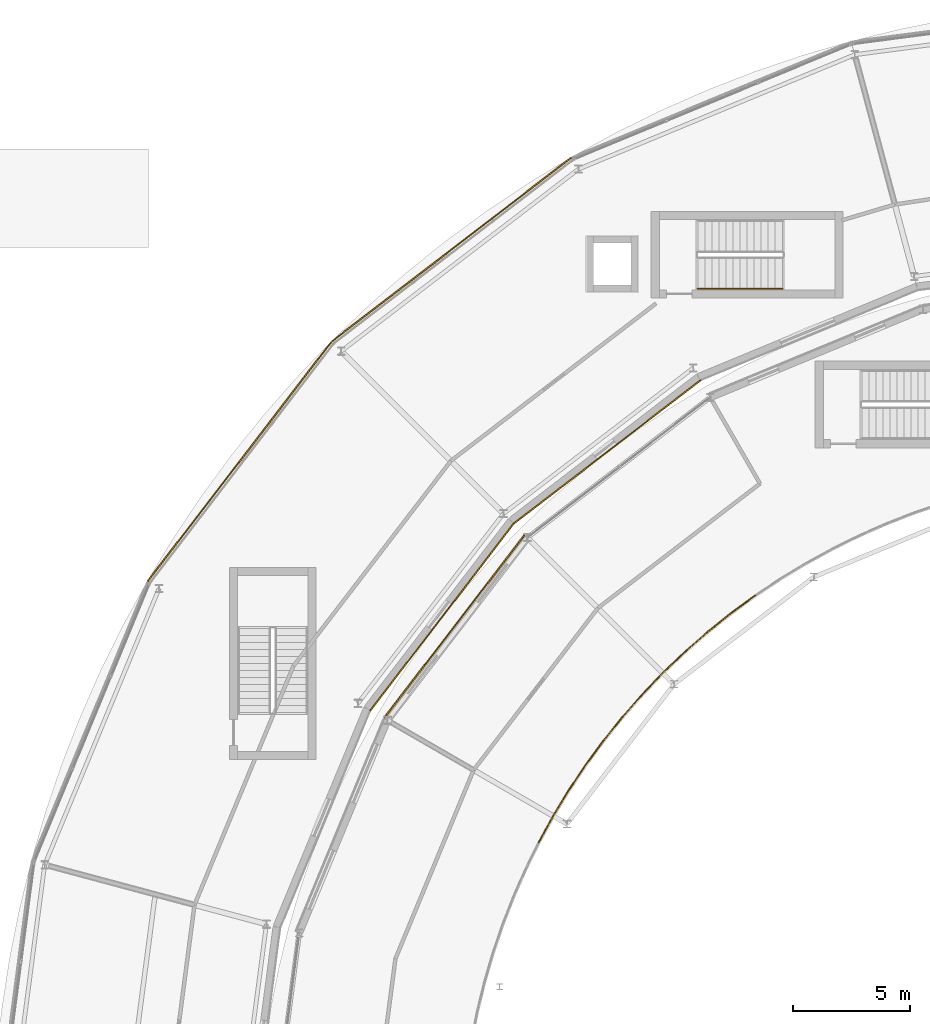
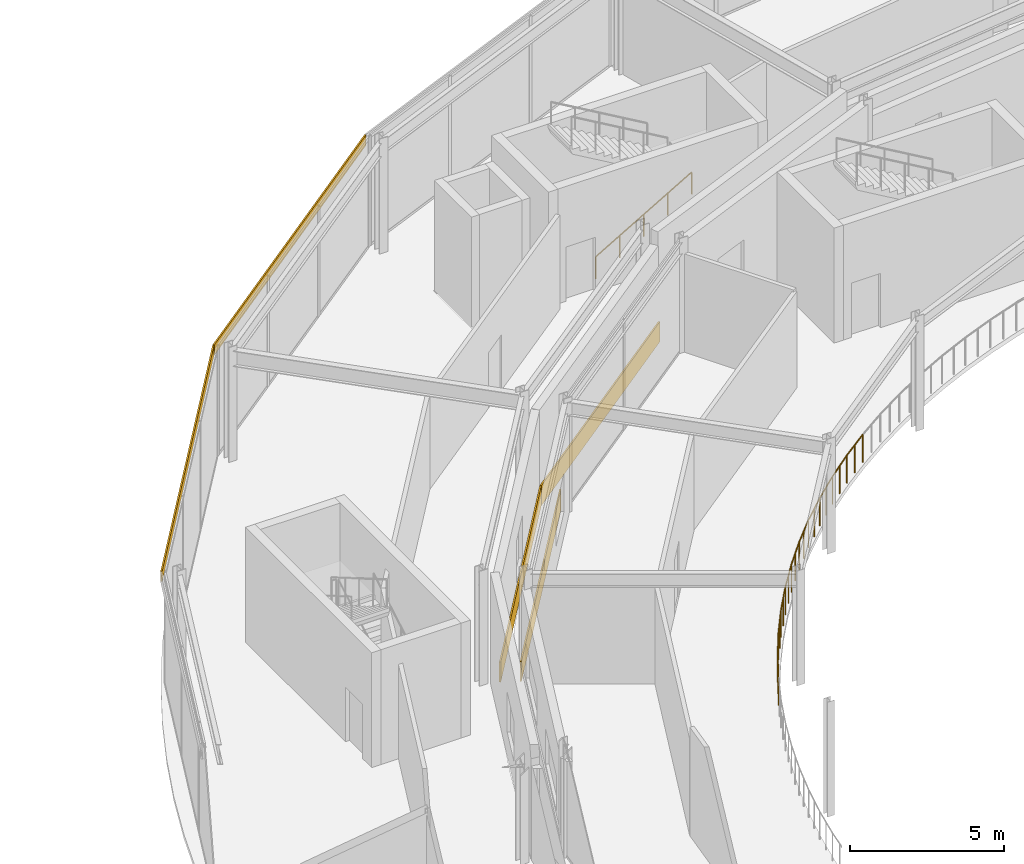
# One storey, part 122 of 133: 12 railings, 5 coverings.
"""IFC4 building model written with IfcOpenShell, lengths in metres."""

from ifc_helpers import new_model, si_unit, direction, frame, origin, origin_2d, place, context, subcontext, project, spatial, rectangle, circle, extrude, material, layer, layer_set, type_object, element, save


model = new_model("IFC4")

# Units and contexts
model_context = context("Model", 3, precision=1e-05, world=origin(), true_north=direction((0.0, 1.0)))
body_context = subcontext(model_context, "Body", "Model", "MODEL_VIEW")
ifc_project = project(units=[si_unit("LENGTHUNIT", "METRE"), si_unit("AREAUNIT", "SQUARE_METRE"), si_unit("VOLUMEUNIT", "CUBIC_METRE"), si_unit("PLANEANGLEUNIT", "RADIAN"), si_unit("MASSUNIT", "GRAM", prefix="KILO")], contexts=[model_context])

# Site, building, storey
site_placement = place(None, origin())
site = spatial("IfcSite", under=ifc_project, at=site_placement, CompositionType="ELEMENT")
building_placement = place(site_placement, origin())
building = spatial("IfcBuilding", under=site, at=building_placement, Name="Almandine Court Research Institute", CompositionType="ELEMENT")
storey_placement = place(building_placement, frame((0.0, 0.0, 9.800048828125)))
storey = spatial("IfcBuildingStorey", under=building, at=storey_placement, Name="L02", CompositionType="ELEMENT", Elevation=9.800048828125)

# Coverings
ifc_material_1 = material(Name="Extruded Cream-Ochre Seismic Terracotta Spandrel", Category="masonry")
ifc_layer = layer(ifc_material_1, 0.054931640625)
ifc_layer_set = layer_set([ifc_layer], Name="Extruded Cream-Ochre Seismic Terracotta Spandrel")
covering_type = type_object("IfcCoveringType", Name="Cov-CLAD-TERR", PredefinedType="CLADDING", material=ifc_layer_set)
covering_1_placement = place(storey_placement, frame((57.135009765625, 94.919921875, 3.97998046875), z_axis=(0.0, 0.0, 1.0), x_axis=(0.793353340291, 0.608761429009, 0.0)))
element("IfcCovering", 1, at=covering_1_placement, inside=storey, type_object=covering_type, Name="L02 Drum Stacked Terracotta Ring Band 08", PredefinedType="CLADDING", context=body_context, shape_type="SweptSolid", body=[
    extrude(rectangle(XDim=12.8779296875, YDim=0.054931640625, at=origin_2d()), origin(), (0.0, 0.0, 1.0), 0.419921875),
])
covering_2_placement = place(storey_placement, frame((63.77001953125, 86.27392578125, 0.02001953125), z_axis=(0.0, 0.0, 1.0), x_axis=(-0.793353340291, -0.608761429009, 0.0)))
element("IfcCovering", 2, at=covering_2_placement, inside=storey, type_object=covering_type, Name="L02 Facade Spandrel Cladding Band 357", PredefinedType="CLADDING", context=body_context, shape_type="SweptSolid", body=[
    extrude(rectangle(XDim=10.080078125, YDim=0.054931640625, at=origin_2d()), origin(), (0.0, 0.0, 1.0), 0.800048828125),
])
covering_3_placement = place(storey_placement, frame((48.080078125, 85.864990234375, 3.97998046875), z_axis=(0.0, 0.0, 1.0), x_axis=(0.608761429009, 0.793353340291, 0.0)))
element("IfcCovering", 3, at=covering_3_placement, inside=storey, type_object=covering_type, Name="L02 Drum Stacked Terracotta Ring Band 09", PredefinedType="CLADDING", context=body_context, shape_type="SweptSolid", body=[
    extrude(rectangle(XDim=12.8779296875, YDim=0.054931640625, at=origin_2d()), origin(), (0.0, 0.0, 1.0), 0.419921875),
])
covering_4_placement = place(storey_placement, frame((56.72607421875, 79.22998046875, 0.02001953125), z_axis=(0.0, 0.0, 1.0), x_axis=(-0.608761429009, -0.793353340291, 0.0)))
element("IfcCovering", 4, at=covering_4_placement, inside=storey, type_object=covering_type, Name="L02 Facade Spandrel Cladding Band 359", PredefinedType="CLADDING", context=body_context, shape_type="SweptSolid", body=[
    extrude(rectangle(XDim=10.080078125, YDim=0.054931640625, at=origin_2d()), origin(), (0.0, 0.0, 1.0), 0.800048828125),
])
covering_5_placement = place(storey_placement, frame((57.2509765625, 78.826904296875, 0.02001953125), z_axis=(0.0, 0.0, 1.0), x_axis=(0.608761429009, 0.793353340291, 0.0)))
element("IfcCovering", 5, at=covering_5_placement, inside=storey, type_object=covering_type, Name="L02 Facade Spandrel Cladding Band 460", PredefinedType="CLADDING", context=body_context, shape_type="SweptSolid", body=[
    extrude(rectangle(XDim=9.820068359375, YDim=0.054931640625, at=origin_2d()), origin(), (0.0, 0.0, 1.0), 0.800048828125),
])

# Railings
ifc_material_2 = material(Name="Powder-Coated Steel Stair and Atrium Balustrade", Category="steel")
railing_type_1 = type_object("IfcRailingType", Name="Rail-GUARD-INT", PredefinedType="BALUSTRADE", material=ifc_material_2)
railing_1_placement = place(storey_placement, frame((70.091064453125, 80.14892578125, 0.0)))
element("IfcRailing", 6, at=railing_1_placement, inside=storey, type_object=railing_type_1, Name="L02 Atrium Gallery Void Balustrade 057", PredefinedType="BALUSTRADE", context=body_context, shape_type="SweptSolid", body=[
    extrude(circle(Radius=0.02392578125, at=origin_2d()), frame((0.0, 0.0, 1.09619140625), z_axis=(-0.806242050174, -0.591585798115, 0.0), x_axis=(0.591585798115, -0.806242050174, 0.0)), (0.0, 0.0, 1.0), 1.286376953125),
    extrude(circle(Radius=0.02099609375, at=origin_2d()), origin(), (0.0, 0.0, 1.0), 1.072021484375),
    extrude(circle(Radius=0.02099609375, at=origin_2d()), frame((-0.5185546875, -0.38037109375, 0.0)), (0.0, 0.0, 1.0), 1.072021484375),
    extrude(circle(Radius=0.02099609375, at=origin_2d()), frame((-1.037109375, -0.760986328125, 0.0)), (0.0, 0.0, 1.0), 1.072021484375),
])
railing_2_placement = place(storey_placement, frame((69.053955078125, 79.387939453125, 0.0)))
element("IfcRailing", 7, at=railing_2_placement, inside=storey, type_object=railing_type_1, Name="L02 Atrium Gallery Void Balustrade 058", PredefinedType="BALUSTRADE", context=body_context, shape_type="SweptSolid", body=[
    extrude(circle(Radius=0.02392578125, at=origin_2d()), frame((0.0, 0.0, 1.09619140625), z_axis=(-0.779886204086, -0.625921327865, 0.0), x_axis=(0.625921327865, -0.779886204086, 0.0)), (0.0, 0.0, 1.0), 1.285888671875),
    extrude(circle(Radius=0.02099609375, at=origin_2d()), origin(), (0.0, 0.0, 1.0), 1.072021484375),
    extrude(circle(Radius=0.02099609375, at=origin_2d()), frame((-0.50146484375, -0.40234375, 0.0)), (0.0, 0.0, 1.0), 1.072021484375),
    extrude(circle(Radius=0.02099609375, at=origin_2d()), frame((-1.0029296875, -0.804931640625, 0.0)), (0.0, 0.0, 1.0), 1.072021484375),
])
railing_3_placement = place(storey_placement, frame((68.051025390625, 78.5830078125, 0.0)))
element("IfcRailing", 8, at=railing_3_placement, inside=storey, type_object=railing_type_1, Name="L02 Atrium Gallery Void Balustrade 059", PredefinedType="BALUSTRADE", context=body_context, shape_type="SweptSolid", body=[
    extrude(circle(Radius=0.02392578125, at=origin_2d()), frame((0.0, 0.0, 1.09619140625), z_axis=(-0.751906029605, -0.659270295587, 0.0), x_axis=(0.659270295587, -0.751906029605, 0.0)), (0.0, 0.0, 1.0), 1.2861328125),
    extrude(circle(Radius=0.02099609375, at=origin_2d()), origin(), (0.0, 0.0, 1.0), 1.072021484375),
    extrude(circle(Radius=0.02099609375, at=origin_2d()), frame((-0.4833984375, -0.423828125, 0.0)), (0.0, 0.0, 1.0), 1.072021484375),
    extrude(circle(Radius=0.02099609375, at=origin_2d()), frame((-0.967041015625, -0.847900390625, 0.0)), (0.0, 0.0, 1.0), 1.072021484375),
])
railing_4_placement = place(storey_placement, frame((67.083984375, 77.735107421875, 0.0)))
element("IfcRailing", 9, at=railing_4_placement, inside=storey, type_object=railing_type_1, Name="L02 Atrium Gallery Void Balustrade 060", PredefinedType="BALUSTRADE", context=body_context, shape_type="SweptSolid", body=[
    extrude(circle(Radius=0.02392578125, at=origin_2d()), frame((0.0, 0.0, 1.09619140625), z_axis=(-0.722773716604, -0.691084766571, 0.0), x_axis=(0.691084766571, -0.722773716604, 0.0)), (0.0, 0.0, 1.0), 1.28662109375),
    extrude(circle(Radius=0.02099609375, at=origin_2d()), origin(), (0.0, 0.0, 1.0), 1.072021484375),
    extrude(circle(Radius=0.02099609375, at=origin_2d()), frame((-0.46484375, -0.444580078125, 0.0)), (0.0, 0.0, 1.0), 1.072021484375),
    extrude(circle(Radius=0.02099609375, at=origin_2d()), frame((-0.929931640625, -0.88916015625, 0.0)), (0.0, 0.0, 1.0), 1.072021484375),
])
railing_5_placement = place(storey_placement, frame((66.154052734375, 76.845947265625, 0.0)))
element("IfcRailing", 10, at=railing_5_placement, inside=storey, type_object=railing_type_1, Name="L02 Atrium Gallery Void Balustrade 061", PredefinedType="BALUSTRADE", context=body_context, shape_type="SweptSolid", body=[
    extrude(circle(Radius=0.02392578125, at=origin_2d()), frame((0.0, 0.0, 1.09619140625), z_axis=(-0.691084766571, -0.722773716604, 0.0), x_axis=(0.722773716604, -0.691084766571, 0.0)), (0.0, 0.0, 1.0), 1.28662109375),
    extrude(circle(Radius=0.02099609375, at=origin_2d()), origin(), (0.0, 0.0, 1.0), 1.072021484375),
    extrude(circle(Radius=0.02099609375, at=origin_2d()), frame((-0.444580078125, -0.46484375, 0.0)), (0.0, 0.0, 1.0), 1.072021484375),
    extrude(circle(Radius=0.02099609375, at=origin_2d()), frame((-0.88916015625, -0.929931640625, 0.0)), (0.0, 0.0, 1.0), 1.072021484375),
])
railing_6_placement = place(storey_placement, frame((65.264892578125, 75.916015625, 0.0)))
element("IfcRailing", 11, at=railing_6_placement, inside=storey, type_object=railing_type_1, Name="L02 Atrium Gallery Void Balustrade 062", PredefinedType="BALUSTRADE", context=body_context, shape_type="SweptSolid", body=[
    extrude(circle(Radius=0.02392578125, at=origin_2d()), frame((0.0, 0.0, 1.09619140625), z_axis=(-0.659270295587, -0.751906029605, 0.0), x_axis=(0.751906029605, -0.659270295587, 0.0)), (0.0, 0.0, 1.0), 1.2861328125),
    extrude(circle(Radius=0.02099609375, at=origin_2d()), origin(), (0.0, 0.0, 1.0), 1.072021484375),
    extrude(circle(Radius=0.02099609375, at=origin_2d()), frame((-0.423828125, -0.4833984375, 0.0)), (0.0, 0.0, 1.0), 1.072021484375),
    extrude(circle(Radius=0.02099609375, at=origin_2d()), frame((-0.847900390625, -0.967041015625, 0.0)), (0.0, 0.0, 1.0), 1.072021484375),
])
railing_7_placement = place(storey_placement, frame((64.4169921875, 74.948974609375, 0.0)))
element("IfcRailing", 12, at=railing_7_placement, inside=storey, type_object=railing_type_1, Name="L02 Atrium Gallery Void Balustrade 063", PredefinedType="BALUSTRADE", context=body_context, shape_type="SweptSolid", body=[
    extrude(circle(Radius=0.02392578125, at=origin_2d()), frame((0.0, 0.0, 1.09619140625), z_axis=(-0.625921327865, -0.779886204086, 0.0), x_axis=(0.779886204086, -0.625921327865, 0.0)), (0.0, 0.0, 1.0), 1.285888671875),
    extrude(circle(Radius=0.02099609375, at=origin_2d()), origin(), (0.0, 0.0, 1.0), 1.072021484375),
    extrude(circle(Radius=0.02099609375, at=origin_2d()), frame((-0.40234375, -0.50146484375, 0.0)), (0.0, 0.0, 1.0), 1.072021484375),
    extrude(circle(Radius=0.02099609375, at=origin_2d()), frame((-0.804931640625, -1.0029296875, 0.0)), (0.0, 0.0, 1.0), 1.072021484375),
])
railing_8_placement = place(storey_placement, frame((63.612060546875, 73.946044921875, 0.0)))
element("IfcRailing", 13, at=railing_8_placement, inside=storey, type_object=railing_type_1, Name="L02 Atrium Gallery Void Balustrade 064", PredefinedType="BALUSTRADE", context=body_context, shape_type="SweptSolid", body=[
    extrude(circle(Radius=0.02392578125, at=origin_2d()), frame((0.0, 0.0, 1.09619140625), z_axis=(-0.591585798115, -0.806242050174, 0.0), x_axis=(0.806242050174, -0.591585798115, 0.0)), (0.0, 0.0, 1.0), 1.286376953125),
    extrude(circle(Radius=0.02099609375, at=origin_2d()), origin(), (0.0, 0.0, 1.0), 1.072021484375),
    extrude(circle(Radius=0.02099609375, at=origin_2d()), frame((-0.38037109375, -0.5185546875, 0.0)), (0.0, 0.0, 1.0), 1.072021484375),
    extrude(circle(Radius=0.02099609375, at=origin_2d()), frame((-0.760986328125, -1.037109375, 0.0)), (0.0, 0.0, 1.0), 1.072021484375),
])
railing_9_placement = place(storey_placement, frame((62.85107421875, 72.908935546875, 0.0)))
element("IfcRailing", 14, at=railing_9_placement, inside=storey, type_object=railing_type_1, Name="L02 Atrium Gallery Void Balustrade 065", PredefinedType="BALUSTRADE", context=body_context, shape_type="SweptSolid", body=[
    extrude(circle(Radius=0.02392578125, at=origin_2d()), frame((0.0, 0.0, 1.09619140625), z_axis=(-0.555532669549, -0.831494710184, 0.0), x_axis=(0.831494710184, -0.555532669549, 0.0)), (0.0, 0.0, 1.0), 1.285400390625),
    extrude(circle(Radius=0.02099609375, at=origin_2d()), origin(), (0.0, 0.0, 1.0), 1.072021484375),
    extrude(circle(Radius=0.02099609375, at=origin_2d()), frame((-0.35693359375, -0.534423828125, 0.0)), (0.0, 0.0, 1.0), 1.072021484375),
    extrude(circle(Radius=0.02099609375, at=origin_2d()), frame((-0.714111328125, -1.06884765625, 0.0)), (0.0, 0.0, 1.0), 1.072021484375),
])
railing_10_placement = place(storey_placement, frame((62.136962890625, 71.840087890625, 0.0)))
element("IfcRailing", 15, at=railing_10_placement, inside=storey, type_object=railing_type_1, Name="L02 Atrium Gallery Void Balustrade 066", PredefinedType="BALUSTRADE", context=body_context, shape_type="SweptSolid", body=[
    extrude(circle(Radius=0.02392578125, at=origin_2d()), frame((0.0, 0.0, 1.09619140625), z_axis=(-0.518453116568, -0.855106055364, 0.0), x_axis=(0.855106055364, -0.518453116568, 0.0)), (0.0, 0.0, 1.0), 1.28662109375),
    extrude(circle(Radius=0.02099609375, at=origin_2d()), origin(), (0.0, 0.0, 1.0), 1.072021484375),
    extrude(circle(Radius=0.02099609375, at=origin_2d()), frame((-0.33349609375, -0.550048828125, 0.0)), (0.0, 0.0, 1.0), 1.072021484375),
    extrude(circle(Radius=0.02099609375, at=origin_2d()), frame((-0.6669921875, -1.10009765625, 0.0)), (0.0, 0.0, 1.0), 1.072021484375),
])
railing_11_placement = place(storey_placement, frame((61.469970703125, 70.739990234375, 0.0)))
element("IfcRailing", 16, at=railing_11_placement, inside=storey, type_object=railing_type_1, Name="L02 Atrium Gallery Void Balustrade 067", PredefinedType="BALUSTRADE", context=body_context, shape_type="SweptSolid", body=[
    extrude(circle(Radius=0.02392578125, at=origin_2d()), frame((0.0, 0.0, 1.09619140625), z_axis=(-0.481044370562, -0.876696249308, 0.0), x_axis=(0.876696249308, -0.481044370562, 0.0)), (0.0, 0.0, 1.0), 1.28662109375),
    extrude(circle(Radius=0.02099609375, at=origin_2d()), origin(), (0.0, 0.0, 1.0), 1.072021484375),
    extrude(circle(Radius=0.02099609375, at=origin_2d()), frame((-0.3095703125, -0.56396484375, 0.0)), (0.0, 0.0, 1.0), 1.072021484375),
    extrude(circle(Radius=0.02099609375, at=origin_2d()), frame((-0.618896484375, -1.1279296875, 0.0)), (0.0, 0.0, 1.0), 1.072021484375),
])
ifc_material_3 = material(Name="Brushed Stainless Steel Wall Handrail", Category="steel")
railing_type_2 = type_object("IfcRailingType", Name="Rail-HAND-INT", PredefinedType="HANDRAIL", material=ifc_material_3)
railing_12_placement = place(storey_placement, frame((67.64990234375, 93.25, 0.175048828125)))
element("IfcRailing", 17, at=railing_12_placement, inside=storey, type_object=railing_type_2, Name="L02 ST-10 stair handrail 1", PredefinedType="HANDRAIL", context=body_context, shape_type="SweptSolid", body=[
    extrude(circle(Radius=0.02392578125, at=origin_2d()), frame((0.0, 0.0, 0.8759765625), z_axis=(0.863800146258, 0.0, 0.503834603144), x_axis=(0.0, 1.0, 0.0)), (0.0, 0.0, 1.0), 4.167724609375),
    extrude(circle(Radius=0.02099609375, at=origin_2d()), origin(), (0.0, 0.0, 1.0), 0.851806640625),
    extrude(circle(Radius=0.02099609375, at=origin_2d()), frame((0.89990234375, 0.0, 0.52490234375)), (0.0, 0.0, 1.0), 0.851806640625),
    extrude(circle(Radius=0.02099609375, at=origin_2d()), frame((1.800048828125, 0.0, 1.0498046875)), (0.0, 0.0, 1.0), 0.851806640625),
    extrude(circle(Radius=0.02099609375, at=origin_2d()), frame((2.7001953125, 0.0, 1.574951171875)), (0.0, 0.0, 1.0), 0.851806640625),
    extrude(circle(Radius=0.02099609375, at=origin_2d()), frame((3.60009765625, 0.0, 2.099853515625)), (0.0, 0.0, 1.0), 0.851806640625),
])

save(model, "model.ifc")
